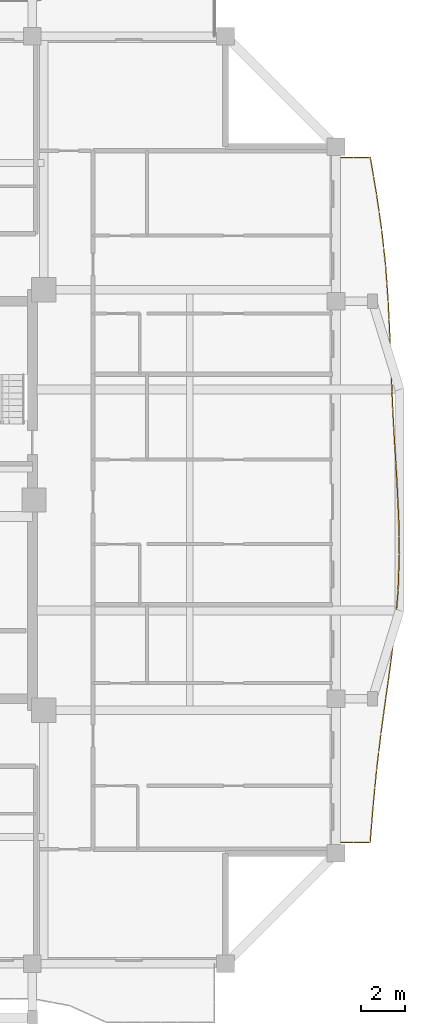
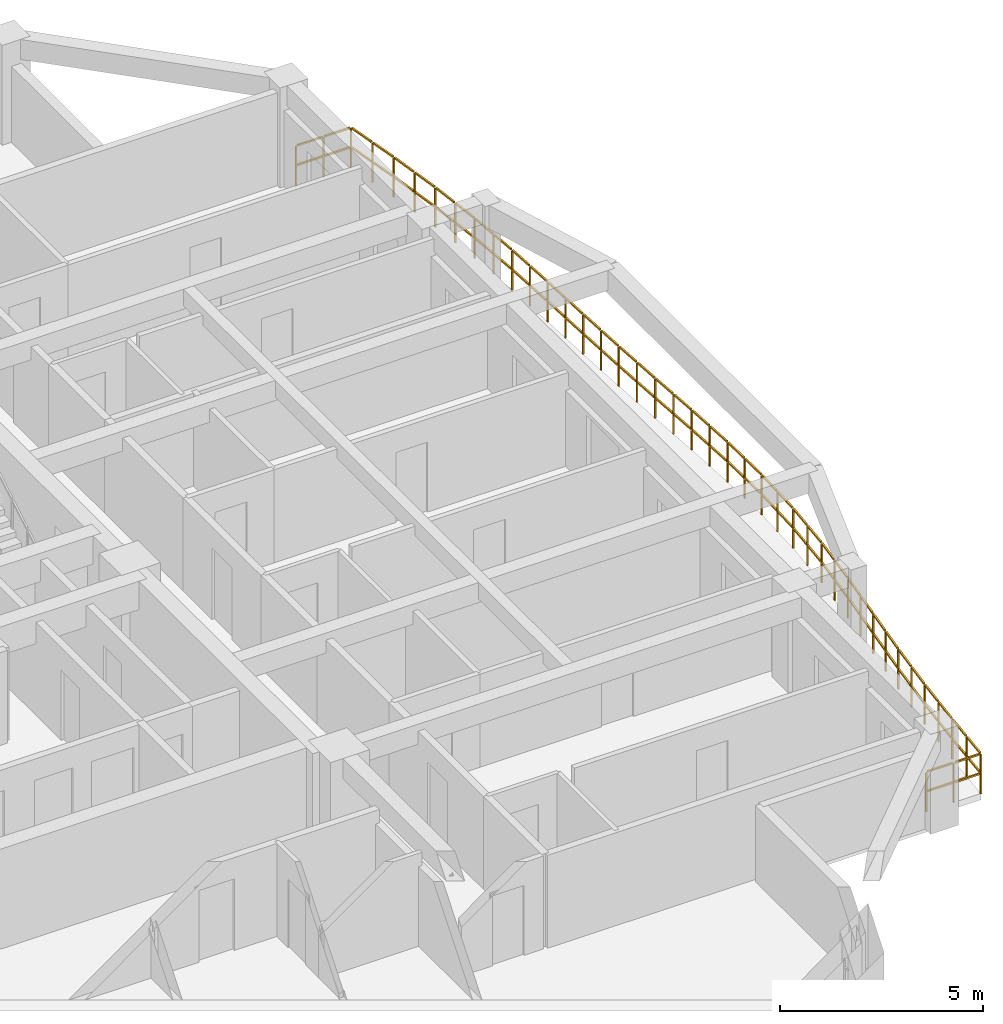
# One storey, part 12 of 13: 1 railing.
"""IFC4 building model written with IfcOpenShell, lengths in metres."""

import ifcopenshell
import ifcopenshell.guid

model = None  # the IFC model being written
_history = None  # IfcOwnerHistory: only IFC2X3 demands one
_inside = {}  # id of a spatial element -> (the spatial element, [elements in it])
_under = {}  # id of a project, library or spatial element -> (it, [spatial elements below it])
_declared = {}  # id of a project -> (the project, [libraries it declares])
_typed = {}  # id of a type object -> (the type object, [elements of that type])
_made_of = {}  # id of a material, layer set ... -> (it, [elements and type objects made of it])


def new_model(schema):
    """Start an empty IFC model of exactly this schema.

    Asked for "IFC4X3", IfcOpenShell would pick the latest addendum, in which some entities
    have other attributes; the version numbers below select the first issue.
    IFC2X3 requires an IfcOwnerHistory on every rooted entity: one is made here for all.
    """
    global model, _history
    if schema == "IFC4X3":
        model = ifcopenshell.file(schema_version=(4, 3, 0, 0))
    else:
        model = ifcopenshell.file(schema=schema)
    _inside.clear()
    _under.clear()
    _declared.clear()
    _typed.clear()
    _made_of.clear()
    _history = None
    if model.schema == "IFC2X3":
        org = make("IfcOrganization", Name="unknown")
        user = make(
            "IfcPersonAndOrganization",
            ThePerson=make("IfcPerson", FamilyName="unknown"),
            TheOrganization=org,
        )
        app = make(
            "IfcApplication",
            ApplicationDeveloper=org,
            Version="unknown",
            ApplicationFullName="unknown",
            ApplicationIdentifier="unknown",
        )
        _history = make(
            "IfcOwnerHistory",
            OwningUser=user,
            OwningApplication=app,
            ChangeAction="ADDED",
            CreationDate=0,
        )
    return model


def make(cls, **values):
    """One entity of the class cls with the attributes given. An attribute that is None is left unset."""
    return model.create_entity(
        cls, **{name: value for name, value in values.items() if value is not None}
    )


def rooted(cls, **values):
    """An entity with a GlobalId (a new one), such as an element, a storey or a relation."""
    return make(cls, GlobalId=ifcopenshell.guid.new(), OwnerHistory=_history, **values)


def si_unit(unit_type, name, prefix=None):
    """IfcSIUnit, for example si_unit("LENGTHUNIT", "METRE", prefix="MILLI")."""
    return make("IfcSIUnit", UnitType=unit_type, Prefix=prefix, Name=name)


def assignment(units):
    """IfcUnitAssignment: the units of a project."""
    return None if units is None else make("IfcUnitAssignment", Units=units)


def point(xyz):
    """IfcCartesianPoint."""
    return None if xyz is None else make("IfcCartesianPoint", Coordinates=xyz)


def direction(xyz):
    """IfcDirection."""
    return None if xyz is None else make("IfcDirection", DirectionRatios=xyz)


def frame(location, z_axis=None, x_axis=None):
    """IfcAxis2Placement3D, a coordinate frame: its origin and axes. An axis left out is left unset."""
    return make(
        "IfcAxis2Placement3D",
        Location=point(location),
        Axis=direction(z_axis),
        RefDirection=direction(x_axis),
    )


def frame_2d(location, x_axis=None):
    """IfcAxis2Placement2D, a coordinate frame in the plane: its origin and x axis."""
    return make(
        "IfcAxis2Placement2D", Location=point(location), RefDirection=direction(x_axis)
    )


def origin():
    """The frame at (0, 0, 0) with its axes left unset."""
    return frame((0.0, 0.0, 0.0))


def origin_2d():
    """The frame at (0, 0) in the plane with its x axis left unset."""
    return frame_2d((0.0, 0.0))


def place(relative_to, where):
    """IfcLocalPlacement: puts the frame where relative to a parent placement (None: the world)."""
    return make(
        "IfcLocalPlacement", PlacementRelTo=relative_to, RelativePlacement=where
    )


def context(
    kind, dimensions, precision=None, world=None, true_north=None, identifier=None
):
    """IfcGeometricRepresentationContext, for example the 3D "Model" context."""
    return make(
        "IfcGeometricRepresentationContext",
        ContextIdentifier=identifier,
        ContextType=kind,
        CoordinateSpaceDimension=dimensions,
        Precision=precision,
        WorldCoordinateSystem=world,
        TrueNorth=true_north,
    )


def subcontext(parent, identifier, kind, view, scale=None):
    """IfcGeometricRepresentationSubContext, for example "Body" below "Model"."""
    return make(
        "IfcGeometricRepresentationSubContext",
        ContextIdentifier=identifier,
        ContextType=kind,
        ParentContext=parent,
        TargetScale=scale,
        TargetView=view,
    )


def project(units=None, contexts=None):
    """IfcProject with its units and contexts."""
    return rooted(
        "IfcProject",
        Name="project",
        RepresentationContexts=contexts,
        UnitsInContext=assignment(units),
    )


def spatial(cls, under=None, at=None, **own):
    """A site, building, storey or space (cls), placed at a placement, below another one or the project."""
    s = rooted(cls, ObjectPlacement=at, **own)
    if under is not None:
        _under.setdefault(under.id(), (under, []))[1].append(s)
    return s


def profile(cls, at=None, kind="AREA", **sizes):
    """A parametric profile (cls). Its sizes go by their IFC names, for example OverallWidth=200.0."""
    return make(cls, ProfileType=kind, Position=at, **sizes)


def rectangle(**sizes):
    """IfcRectangleProfileDef."""
    return profile("IfcRectangleProfileDef", **sizes)


def extrude(swept, where, along, depth):
    """IfcExtrudedAreaSolid: the profile swept, set in the frame where, extruded along a direction by depth."""
    return make(
        "IfcExtrudedAreaSolid",
        SweptArea=swept,
        Position=where,
        ExtrudedDirection=direction(along),
        Depth=depth,
    )


def shape(context_of_items, identifier, shape_type, items):
    """IfcShapeRepresentation: the items that make up one representation, for example the "Body"."""
    return make(
        "IfcShapeRepresentation",
        ContextOfItems=context_of_items,
        RepresentationIdentifier=identifier,
        RepresentationType=shape_type,
        Items=items,
    )


def material(Name=None, Category=None):
    """IfcMaterial."""
    return make("IfcMaterial", Name=Name, Category=Category)


def made_of(thing, what):
    """Note that an element or type object is made of a material, layer set ...; save() writes the relation."""
    if what is not None:
        _made_of.setdefault(what.id(), (what, []))[1].append(thing)
    return thing


def type_object(cls, material=None, **own):
    """A type object (cls), such as IfcWallType, which elements share."""
    return made_of(rooted(cls, **own), material)


def element(
    cls,
    number,
    at=None,
    inside=None,
    cuts=None,
    type_object=None,
    material=None,
    context=None,
    identifier="Body",
    shape_type=None,
    held_by="IfcProductDefinitionShape",
    body=None,
    shapes=None,
    **own,
):
    """One element of the class cls, such as IfcWall. Its Tag is "e" and its number.

    at: its placement. inside: the storey or other place that contains it. cuts: it is an
    opening in that element (IfcRelVoidsElement). A single representation is given by context,
    identifier, shape_type and body (its items); several are given by shapes. held_by: the class
    of the entity that holds the representations. save() writes the other relations.
    """
    e = rooted(cls, Tag="e%d" % number, ObjectPlacement=at, **own)
    if body is not None:
        shapes = [shape(context, identifier, shape_type, body)]
    if shapes is not None:
        e.Representation = make(held_by, Representations=shapes)
    if inside is not None:
        _inside.setdefault(inside.id(), (inside, []))[1].append(e)
    if cuts is not None:
        rooted(
            "IfcRelVoidsElement", RelatingBuildingElement=cuts, RelatedOpeningElement=e
        )
    if type_object is not None:
        _typed.setdefault(type_object.id(), (type_object, []))[1].append(e)
    return made_of(e, material)


def aggregate(whole, parts):
    """IfcRelAggregates: a whole, such as a stair, and the parts it consists of."""
    return rooted("IfcRelAggregates", RelatingObject=whole, RelatedObjects=parts)


def save(model, path):
    """Write the relations noted so far, then the file.

    IfcRelAggregates (storeys below a building ...), IfcRelContainedInSpatialStructure (elements
    in a storey), IfcRelDefinesByType, IfcRelAssociatesMaterial and IfcRelDeclares: one each for
    every whole, place, type object, material and project.
    """
    for whole, parts in _under.values():
        aggregate(whole, parts)
    for where, things in _inside.values():
        rooted(
            "IfcRelContainedInSpatialStructure",
            RelatedElements=things,
            RelatingStructure=where,
        )
    for kind, things in _typed.values():
        rooted("IfcRelDefinesByType", RelatedObjects=things, RelatingType=kind)
    for what, things in _made_of.values():
        rooted("IfcRelAssociatesMaterial", RelatedObjects=things, RelatingMaterial=what)
    for by, libraries in _declared.values():
        rooted("IfcRelDeclares", RelatingContext=by, RelatedDefinitions=libraries)
    model.write(path)


model = new_model("IFC4")

# Units and contexts
model_context = context("Model", 3, precision=1e-05, world=origin(), true_north=direction((0.0, 1.0)))
body_context = subcontext(model_context, "Body", "Model", "MODEL_VIEW")
ifc_project = project(units=[si_unit("LENGTHUNIT", "METRE"), si_unit("AREAUNIT", "SQUARE_METRE"), si_unit("VOLUMEUNIT", "CUBIC_METRE"), si_unit("PLANEANGLEUNIT", "RADIAN"), si_unit("MASSUNIT", "GRAM", prefix="KILO")], contexts=[model_context])

# Site, building, storey
site_placement = place(None, origin())
site = spatial("IfcSite", under=ifc_project, at=site_placement, CompositionType="ELEMENT")
building_placement = place(site_placement, origin())
building = spatial("IfcBuilding", under=site, at=building_placement, Name="Saelheon Loggia Tower", CompositionType="ELEMENT")
storey_placement = place(building_placement, frame((0.0, 0.0, 179.800048828125)))
storey = spatial("IfcBuildingStorey", under=building, at=storey_placement, Name="L56", CompositionType="ELEMENT", Elevation=179.800048828125)

# Railing
ifc_material = material(Name="Architectural Precast Concrete and Laminated Glass Guard", Category="concrete")
railing_type = type_object("IfcRailingType", Name="Guard_Loggia_RL_LOG", PredefinedType="BALUSTRADE", material=ifc_material)
railing_placement = place(storey_placement, frame((58.25, 11.5, 0.0)))
element("IfcRailing", 1, at=railing_placement, inside=storey, type_object=railing_type, Name="L56 East Loggia Balustrade", PredefinedType="BALUSTRADE", context=body_context, shape_type="SweptSolid", body=[
    extrude(rectangle(XDim=0.048095703125, YDim=0.048095703125, at=origin_2d()), frame((0.033203125, 0.0, 1.19580078125), z_axis=(1.0, 0.0, 0.0), x_axis=(0.0, 1.0, 0.0)), (0.0, 0.0, 1.0), 0.70849609375),
    extrude(rectangle(XDim=0.048095703125, YDim=0.048095703125, at=origin_2d()), frame((0.033203125, 0.0, 0.60986328125), z_axis=(1.0, 0.0, 0.0), x_axis=(0.0, 1.0, 0.0)), (0.0, 0.0, 1.0), 0.70849609375),
    extrude(rectangle(XDim=0.048095703125, YDim=0.048095703125, at=origin_2d()), frame((0.808349609375, 0.0, 1.19580078125), z_axis=(1.0, 0.0, 0.0), x_axis=(0.0, 1.0, 0.0)), (0.0, 0.0, 1.0), 0.70849609375),
    extrude(rectangle(XDim=0.048095703125, YDim=0.048095703125, at=origin_2d()), frame((0.808349609375, 0.0, 0.60986328125), z_axis=(1.0, 0.0, 0.0), x_axis=(0.0, 1.0, 0.0)), (0.0, 0.0, 1.0), 0.70849609375),
    extrude(rectangle(XDim=0.048095703125, YDim=0.048095703125, at=origin_2d()), frame((1.552734375, 0.033203125, 1.19580078125), z_axis=(0.080835891672, 0.996727424433, 0.0), x_axis=(-0.996727424433, 0.080835891672, 0.0)), (0.0, 0.0, 1.0), 0.751953125),
    extrude(rectangle(XDim=0.048095703125, YDim=0.048095703125, at=origin_2d()), frame((1.552734375, 0.033203125, 0.60986328125), z_axis=(0.080835891672, 0.996727424433, 0.0), x_axis=(-0.996727424433, 0.080835891672, 0.0)), (0.0, 0.0, 1.0), 0.751953125),
    extrude(rectangle(XDim=0.048095703125, YDim=0.048095703125, at=origin_2d()), frame((1.618896484375, 0.848876953125, 1.19580078125), z_axis=(0.080835891672, 0.996727424433, 0.0), x_axis=(-0.996727424433, 0.080835891672, 0.0)), (0.0, 0.0, 1.0), 0.751953125),
    extrude(rectangle(XDim=0.048095703125, YDim=0.048095703125, at=origin_2d()), frame((1.618896484375, 0.848876953125, 0.60986328125), z_axis=(0.080835891672, 0.996727424433, 0.0), x_axis=(-0.996727424433, 0.080835891672, 0.0)), (0.0, 0.0, 1.0), 0.751953125),
    extrude(rectangle(XDim=0.048095703125, YDim=0.048095703125, at=origin_2d()), frame((1.685546875, 1.66455078125, 1.19580078125), z_axis=(0.096067152707, 0.995374855103, 0.0), x_axis=(-0.995374855103, 0.096067152707, 0.0)), (0.0, 0.0, 1.0), 0.753173828125),
    extrude(rectangle(XDim=0.048095703125, YDim=0.048095703125, at=origin_2d()), frame((1.685546875, 1.66455078125, 0.60986328125), z_axis=(0.096067152707, 0.995374855103, 0.0), x_axis=(-0.995374855103, 0.096067152707, 0.0)), (0.0, 0.0, 1.0), 0.753173828125),
    extrude(rectangle(XDim=0.048095703125, YDim=0.048095703125, at=origin_2d()), frame((1.764404296875, 2.48046875, 1.19580078125), z_axis=(0.096067152707, 0.995374855103, 0.0), x_axis=(-0.995374855103, 0.096067152707, 0.0)), (0.0, 0.0, 1.0), 0.753173828125),
    extrude(rectangle(XDim=0.048095703125, YDim=0.048095703125, at=origin_2d()), frame((1.764404296875, 2.48046875, 0.60986328125), z_axis=(0.096067152707, 0.995374855103, 0.0), x_axis=(-0.995374855103, 0.096067152707, 0.0)), (0.0, 0.0, 1.0), 0.753173828125),
    extrude(rectangle(XDim=0.048095703125, YDim=0.048095703125, at=origin_2d()), frame((1.84375, 3.296142578125, 1.19580078125), z_axis=(0.118418690812, 0.992963752443, 0.0), x_axis=(-0.992963752443, 0.118418690812, 0.0)), (0.0, 0.0, 1.0), 0.755126953125),
    extrude(rectangle(XDim=0.048095703125, YDim=0.048095703125, at=origin_2d()), frame((1.84375, 3.296142578125, 0.60986328125), z_axis=(0.118418690812, 0.992963752443, 0.0), x_axis=(-0.992963752443, 0.118418690812, 0.0)), (0.0, 0.0, 1.0), 0.755126953125),
    extrude(rectangle(XDim=0.048095703125, YDim=0.048095703125, at=origin_2d()), frame((1.941162109375, 4.112060546875, 1.19580078125), z_axis=(0.118418690812, 0.992963752443, 0.0), x_axis=(-0.992963752443, 0.118418690812, 0.0)), (0.0, 0.0, 1.0), 0.755126953125),
    extrude(rectangle(XDim=0.048095703125, YDim=0.048095703125, at=origin_2d()), frame((1.941162109375, 4.112060546875, 0.60986328125), z_axis=(0.118418690812, 0.992963752443, 0.0), x_axis=(-0.992963752443, 0.118418690812, 0.0)), (0.0, 0.0, 1.0), 0.755126953125),
    extrude(rectangle(XDim=0.048095703125, YDim=0.048095703125, at=origin_2d()), frame((2.0390625, 4.927734375, 1.19580078125), z_axis=(0.136231070646, 0.990677089364, 0.0), x_axis=(-0.990677089364, 0.136231070646, 0.0)), (0.0, 0.0, 1.0), 0.757080078125),
    extrude(rectangle(XDim=0.048095703125, YDim=0.048095703125, at=origin_2d()), frame((2.0390625, 4.927734375, 0.60986328125), z_axis=(0.136231070646, 0.990677089364, 0.0), x_axis=(-0.990677089364, 0.136231070646, 0.0)), (0.0, 0.0, 1.0), 0.757080078125),
    extrude(rectangle(XDim=0.048095703125, YDim=0.048095703125, at=origin_2d()), frame((2.151123046875, 5.743408203125, 1.19580078125), z_axis=(0.136231070646, 0.990677089364, 0.0), x_axis=(-0.990677089364, 0.136231070646, 0.0)), (0.0, 0.0, 1.0), 0.757080078125),
    extrude(rectangle(XDim=0.048095703125, YDim=0.048095703125, at=origin_2d()), frame((2.151123046875, 5.743408203125, 0.60986328125), z_axis=(0.136231070646, 0.990677089364, 0.0), x_axis=(-0.990677089364, 0.136231070646, 0.0)), (0.0, 0.0, 1.0), 0.757080078125),
    extrude(rectangle(XDim=0.048095703125, YDim=0.048095703125, at=origin_2d()), frame((2.263427734375, 6.559326171875, 1.19580078125), z_axis=(0.138412382721, 0.990374682789, 0.0), x_axis=(-0.990374682789, 0.138412382721, 0.0)), (0.0, 0.0, 1.0), 0.75732421875),
    extrude(rectangle(XDim=0.048095703125, YDim=0.048095703125, at=origin_2d()), frame((2.263427734375, 6.559326171875, 0.60986328125), z_axis=(0.138412382721, 0.990374682789, 0.0), x_axis=(-0.990374682789, 0.138412382721, 0.0)), (0.0, 0.0, 1.0), 0.75732421875),
    extrude(rectangle(XDim=0.048095703125, YDim=0.048095703125, at=origin_2d()), frame((2.37744140625, 7.375, 1.19580078125), z_axis=(0.138412382721, 0.990374682789, 0.0), x_axis=(-0.990374682789, 0.138412382721, 0.0)), (0.0, 0.0, 1.0), 0.75732421875),
    extrude(rectangle(XDim=0.048095703125, YDim=0.048095703125, at=origin_2d()), frame((2.37744140625, 7.375, 0.60986328125), z_axis=(0.138412382721, 0.990374682789, 0.0), x_axis=(-0.990374682789, 0.138412382721, 0.0)), (0.0, 0.0, 1.0), 0.75732421875),
    extrude(rectangle(XDim=0.048095703125, YDim=0.048095703125, at=origin_2d()), frame((2.49072265625, 8.19091796875, 1.19580078125), z_axis=(0.119151078954, 0.992876135469, 0.0), x_axis=(-0.992876135469, 0.119151078954, 0.0)), (0.0, 0.0, 1.0), 0.755126953125),
    extrude(rectangle(XDim=0.048095703125, YDim=0.048095703125, at=origin_2d()), frame((2.49072265625, 8.19091796875, 0.60986328125), z_axis=(0.119151078954, 0.992876135469, 0.0), x_axis=(-0.992876135469, 0.119151078954, 0.0)), (0.0, 0.0, 1.0), 0.755126953125),
    extrude(rectangle(XDim=0.048095703125, YDim=0.048095703125, at=origin_2d()), frame((2.588623046875, 9.0068359375, 1.19580078125), z_axis=(0.119151078954, 0.992876135469, 0.0), x_axis=(-0.992876135469, 0.119151078954, 0.0)), (0.0, 0.0, 1.0), 0.755126953125),
    extrude(rectangle(XDim=0.048095703125, YDim=0.048095703125, at=origin_2d()), frame((2.588623046875, 9.0068359375, 0.60986328125), z_axis=(0.119151078954, 0.992876135469, 0.0), x_axis=(-0.992876135469, 0.119151078954, 0.0)), (0.0, 0.0, 1.0), 0.755126953125),
    extrude(rectangle(XDim=0.048095703125, YDim=0.048095703125, at=origin_2d()), frame((2.685302734375, 9.82275390625, 1.19580078125), z_axis=(0.080243172339, 0.996775317357, 0.0), x_axis=(-0.996775317357, 0.080243172339, 0.0)), (0.0, 0.0, 1.0), 0.751953125),
    extrude(rectangle(XDim=0.048095703125, YDim=0.048095703125, at=origin_2d()), frame((2.685302734375, 9.82275390625, 0.60986328125), z_axis=(0.080243172339, 0.996775317357, 0.0), x_axis=(-0.996775317357, 0.080243172339, 0.0)), (0.0, 0.0, 1.0), 0.751953125),
    extrude(rectangle(XDim=0.048095703125, YDim=0.048095703125, at=origin_2d()), frame((2.7509765625, 10.638427734375, 1.19580078125), z_axis=(0.080243172339, 0.996775317357, 0.0), x_axis=(-0.996775317357, 0.080243172339, 0.0)), (0.0, 0.0, 1.0), 0.751953125),
    extrude(rectangle(XDim=0.048095703125, YDim=0.048095703125, at=origin_2d()), frame((2.7509765625, 10.638427734375, 0.60986328125), z_axis=(0.080243172339, 0.996775317357, 0.0), x_axis=(-0.996775317357, 0.080243172339, 0.0)), (0.0, 0.0, 1.0), 0.751953125),
    extrude(rectangle(XDim=0.048095703125, YDim=0.048095703125, at=origin_2d()), frame((2.81494140625, 11.454345703125, 1.19580078125), z_axis=(0.030963894681, 0.999520503655, 0.0), x_axis=(-0.999520503655, 0.030963894681, 0.0)), (0.0, 0.0, 1.0), 0.74951171875),
    extrude(rectangle(XDim=0.048095703125, YDim=0.048095703125, at=origin_2d()), frame((2.81494140625, 11.454345703125, 0.60986328125), z_axis=(0.030963894681, 0.999520503655, 0.0), x_axis=(-0.999520503655, 0.030963894681, 0.0)), (0.0, 0.0, 1.0), 0.74951171875),
    extrude(rectangle(XDim=0.048095703125, YDim=0.048095703125, at=origin_2d()), frame((2.84033203125, 12.27001953125, 1.19580078125), z_axis=(0.030963894681, 0.999520503655, 0.0), x_axis=(-0.999520503655, 0.030963894681, 0.0)), (0.0, 0.0, 1.0), 0.74951171875),
    extrude(rectangle(XDim=0.048095703125, YDim=0.048095703125, at=origin_2d()), frame((2.84033203125, 12.27001953125, 0.60986328125), z_axis=(0.030963894681, 0.999520503655, 0.0), x_axis=(-0.999520503655, 0.030963894681, 0.0)), (0.0, 0.0, 1.0), 0.74951171875),
    extrude(rectangle(XDim=0.048095703125, YDim=0.048095703125, at=origin_2d()), frame((2.864013671875, 13.085693359375, 1.19580078125), z_axis=(-0.015559989428, 0.999878936036, 0.0), x_axis=(-0.999878936036, -0.015559989428, 0.0)), (0.0, 0.0, 1.0), 0.74951171875),
    extrude(rectangle(XDim=0.048095703125, YDim=0.048095703125, at=origin_2d()), frame((2.864013671875, 13.085693359375, 0.60986328125), z_axis=(-0.015559989428, 0.999878936036, 0.0), x_axis=(-0.999878936036, -0.015559989428, 0.0)), (0.0, 0.0, 1.0), 0.74951171875),
    extrude(rectangle(XDim=0.048095703125, YDim=0.048095703125, at=origin_2d()), frame((2.851318359375, 13.901611328125, 1.19580078125), z_axis=(-0.015559989428, 0.999878936036, 0.0), x_axis=(-0.999878936036, -0.015559989428, 0.0)), (0.0, 0.0, 1.0), 0.74951171875),
    extrude(rectangle(XDim=0.048095703125, YDim=0.048095703125, at=origin_2d()), frame((2.851318359375, 13.901611328125, 0.60986328125), z_axis=(-0.015559989428, 0.999878936036, 0.0), x_axis=(-0.999878936036, -0.015559989428, 0.0)), (0.0, 0.0, 1.0), 0.74951171875),
    extrude(rectangle(XDim=0.048095703125, YDim=0.048095703125, at=origin_2d()), frame((2.837646484375, 14.71728515625, 1.19580078125), z_axis=(-0.047373442202, 0.998877248201, 0.0), x_axis=(-0.998877248201, -0.047373442202, 0.0)), (0.0, 0.0, 1.0), 0.75048828125),
    extrude(rectangle(XDim=0.048095703125, YDim=0.048095703125, at=origin_2d()), frame((2.837646484375, 14.71728515625, 0.60986328125), z_axis=(-0.047373442202, 0.998877248201, 0.0), x_axis=(-0.998877248201, -0.047373442202, 0.0)), (0.0, 0.0, 1.0), 0.75048828125),
    extrude(rectangle(XDim=0.048095703125, YDim=0.048095703125, at=origin_2d()), frame((2.798828125, 15.533203125, 1.19580078125), z_axis=(-0.047373442202, 0.998877248201, 0.0), x_axis=(-0.998877248201, -0.047373442202, 0.0)), (0.0, 0.0, 1.0), 0.75048828125),
    extrude(rectangle(XDim=0.048095703125, YDim=0.048095703125, at=origin_2d()), frame((2.798828125, 15.533203125, 0.60986328125), z_axis=(-0.047373442202, 0.998877248201, 0.0), x_axis=(-0.998877248201, -0.047373442202, 0.0)), (0.0, 0.0, 1.0), 0.75048828125),
    extrude(rectangle(XDim=0.048095703125, YDim=0.048095703125, at=origin_2d()), frame((2.759765625, 16.34912109375, 1.19580078125), z_axis=(-0.05944876262, 0.998231358265, 0.0), x_axis=(-0.998231358265, -0.05944876262, 0.0)), (0.0, 0.0, 1.0), 0.750732421875),
    extrude(rectangle(XDim=0.048095703125, YDim=0.048095703125, at=origin_2d()), frame((2.759765625, 16.34912109375, 0.60986328125), z_axis=(-0.05944876262, 0.998231358265, 0.0), x_axis=(-0.998231358265, -0.05944876262, 0.0)), (0.0, 0.0, 1.0), 0.750732421875),
    extrude(rectangle(XDim=0.048095703125, YDim=0.048095703125, at=origin_2d()), frame((2.711181640625, 17.164794921875, 1.19580078125), z_axis=(-0.05944876262, 0.998231358265, 0.0), x_axis=(-0.998231358265, -0.05944876262, 0.0)), (0.0, 0.0, 1.0), 0.750732421875),
    extrude(rectangle(XDim=0.048095703125, YDim=0.048095703125, at=origin_2d()), frame((2.711181640625, 17.164794921875, 0.60986328125), z_axis=(-0.05944876262, 0.998231358265, 0.0), x_axis=(-0.998231358265, -0.05944876262, 0.0)), (0.0, 0.0, 1.0), 0.750732421875),
    extrude(rectangle(XDim=0.048095703125, YDim=0.048095703125, at=origin_2d()), frame((2.662841796875, 17.980712890625, 1.19580078125), z_axis=(-0.054990000167, 0.998486905213, 0.0), x_axis=(-0.998486905213, -0.054990000167, 0.0)), (0.0, 0.0, 1.0), 0.75048828125),
    extrude(rectangle(XDim=0.048095703125, YDim=0.048095703125, at=origin_2d()), frame((2.662841796875, 17.980712890625, 0.60986328125), z_axis=(-0.054990000167, 0.998486905213, 0.0), x_axis=(-0.998486905213, -0.054990000167, 0.0)), (0.0, 0.0, 1.0), 0.75048828125),
    extrude(rectangle(XDim=0.048095703125, YDim=0.048095703125, at=origin_2d()), frame((2.617919921875, 18.79638671875, 1.19580078125), z_axis=(-0.054990000167, 0.998486905213, 0.0), x_axis=(-0.998486905213, -0.054990000167, 0.0)), (0.0, 0.0, 1.0), 0.75048828125),
    extrude(rectangle(XDim=0.048095703125, YDim=0.048095703125, at=origin_2d()), frame((2.617919921875, 18.79638671875, 0.60986328125), z_axis=(-0.054990000167, 0.998486905213, 0.0), x_axis=(-0.998486905213, -0.054990000167, 0.0)), (0.0, 0.0, 1.0), 0.75048828125),
    extrude(rectangle(XDim=0.048095703125, YDim=0.048095703125, at=origin_2d()), frame((2.5732421875, 19.612060546875, 1.19580078125), z_axis=(-0.043352887665, 0.999059821598, 0.0), x_axis=(-0.999059821598, -0.043352887665, 0.0)), (0.0, 0.0, 1.0), 0.75),
    extrude(rectangle(XDim=0.048095703125, YDim=0.048095703125, at=origin_2d()), frame((2.5732421875, 19.612060546875, 0.60986328125), z_axis=(-0.043352887665, 0.999059821598, 0.0), x_axis=(-0.999059821598, -0.043352887665, 0.0)), (0.0, 0.0, 1.0), 0.75),
    extrude(rectangle(XDim=0.048095703125, YDim=0.048095703125, at=origin_2d()), frame((2.537841796875, 20.427978515625, 1.19580078125), z_axis=(-0.043352887665, 0.999059821598, 0.0), x_axis=(-0.999059821598, -0.043352887665, 0.0)), (0.0, 0.0, 1.0), 0.75),
    extrude(rectangle(XDim=0.048095703125, YDim=0.048095703125, at=origin_2d()), frame((2.537841796875, 20.427978515625, 0.60986328125), z_axis=(-0.043352887665, 0.999059821598, 0.0), x_axis=(-0.999059821598, -0.043352887665, 0.0)), (0.0, 0.0, 1.0), 0.75),
    extrude(rectangle(XDim=0.048095703125, YDim=0.048095703125, at=origin_2d()), frame((2.502685546875, 21.24365234375, 1.19580078125), z_axis=(-0.037382202648, 0.999301041191, 0.0), x_axis=(-0.999301041191, -0.037382202648, 0.0)), (0.0, 0.0, 1.0), 0.75),
    extrude(rectangle(XDim=0.048095703125, YDim=0.048095703125, at=origin_2d()), frame((2.502685546875, 21.24365234375, 0.60986328125), z_axis=(-0.037382202648, 0.999301041191, 0.0), x_axis=(-0.999301041191, -0.037382202648, 0.0)), (0.0, 0.0, 1.0), 0.75),
    extrude(rectangle(XDim=0.048095703125, YDim=0.048095703125, at=origin_2d()), frame((2.47216796875, 22.0595703125, 1.19580078125), z_axis=(-0.037382202648, 0.999301041191, 0.0), x_axis=(-0.999301041191, -0.037382202648, 0.0)), (0.0, 0.0, 1.0), 0.75),
    extrude(rectangle(XDim=0.048095703125, YDim=0.048095703125, at=origin_2d()), frame((2.47216796875, 22.0595703125, 0.60986328125), z_axis=(-0.037382202648, 0.999301041191, 0.0), x_axis=(-0.999301041191, -0.037382202648, 0.0)), (0.0, 0.0, 1.0), 0.75),
    extrude(rectangle(XDim=0.048095703125, YDim=0.048095703125, at=origin_2d()), frame((2.44140625, 22.875244140625, 1.19580078125), z_axis=(-0.045739897539, 0.998953383183, 0.0), x_axis=(-0.998953383183, -0.045739897539, 0.0)), (0.0, 0.0, 1.0), 0.750244140625),
    extrude(rectangle(XDim=0.048095703125, YDim=0.048095703125, at=origin_2d()), frame((2.44140625, 22.875244140625, 0.60986328125), z_axis=(-0.045739897539, 0.998953383183, 0.0), x_axis=(-0.998953383183, -0.045739897539, 0.0)), (0.0, 0.0, 1.0), 0.750244140625),
    extrude(rectangle(XDim=0.048095703125, YDim=0.048095703125, at=origin_2d()), frame((2.404052734375, 23.69091796875, 1.19580078125), z_axis=(-0.045739897539, 0.998953383183, 0.0), x_axis=(-0.998953383183, -0.045739897539, 0.0)), (0.0, 0.0, 1.0), 0.750244140625),
    extrude(rectangle(XDim=0.048095703125, YDim=0.048095703125, at=origin_2d()), frame((2.404052734375, 23.69091796875, 0.60986328125), z_axis=(-0.045739897539, 0.998953383183, 0.0), x_axis=(-0.998953383183, -0.045739897539, 0.0)), (0.0, 0.0, 1.0), 0.750244140625),
    extrude(rectangle(XDim=0.048095703125, YDim=0.048095703125, at=origin_2d()), frame((2.36572265625, 24.5068359375, 1.19580078125), z_axis=(-0.071491000488, 0.997441244811, 0.0), x_axis=(-0.997441244811, -0.071491000488, 0.0)), (0.0, 0.0, 1.0), 0.75146484375),
    extrude(rectangle(XDim=0.048095703125, YDim=0.048095703125, at=origin_2d()), frame((2.36572265625, 24.5068359375, 0.60986328125), z_axis=(-0.071491000488, 0.997441244811, 0.0), x_axis=(-0.997441244811, -0.071491000488, 0.0)), (0.0, 0.0, 1.0), 0.75146484375),
    extrude(rectangle(XDim=0.048095703125, YDim=0.048095703125, at=origin_2d()), frame((2.307373046875, 25.322509765625, 1.19580078125), z_axis=(-0.071491000488, 0.997441244811, 0.0), x_axis=(-0.997441244811, -0.071491000488, 0.0)), (0.0, 0.0, 1.0), 0.75146484375),
    extrude(rectangle(XDim=0.048095703125, YDim=0.048095703125, at=origin_2d()), frame((2.307373046875, 25.322509765625, 0.60986328125), z_axis=(-0.071491000488, 0.997441244811, 0.0), x_axis=(-0.997441244811, -0.071491000488, 0.0)), (0.0, 0.0, 1.0), 0.75146484375),
    extrude(rectangle(XDim=0.048095703125, YDim=0.048095703125, at=origin_2d()), frame((2.24755859375, 26.13818359375, 1.19580078125), z_axis=(-0.107998454426, 0.994151061882, 0.0), x_axis=(-0.994151061882, -0.107998454426, 0.0)), (0.0, 0.0, 1.0), 0.754150390625),
    extrude(rectangle(XDim=0.048095703125, YDim=0.048095703125, at=origin_2d()), frame((2.24755859375, 26.13818359375, 0.60986328125), z_axis=(-0.107998454426, 0.994151061882, 0.0), x_axis=(-0.994151061882, -0.107998454426, 0.0)), (0.0, 0.0, 1.0), 0.754150390625),
    extrude(rectangle(XDim=0.048095703125, YDim=0.048095703125, at=origin_2d()), frame((2.158935546875, 26.9541015625, 1.19580078125), z_axis=(-0.107998454426, 0.994151061882, 0.0), x_axis=(-0.994151061882, -0.107998454426, 0.0)), (0.0, 0.0, 1.0), 0.754150390625),
    extrude(rectangle(XDim=0.048095703125, YDim=0.048095703125, at=origin_2d()), frame((2.158935546875, 26.9541015625, 0.60986328125), z_axis=(-0.107998454426, 0.994151061882, 0.0), x_axis=(-0.994151061882, -0.107998454426, 0.0)), (0.0, 0.0, 1.0), 0.754150390625),
    extrude(rectangle(XDim=0.048095703125, YDim=0.048095703125, at=origin_2d()), frame((2.069091796875, 27.769775390625, 1.19580078125), z_axis=(-0.144074303004, 0.989566872533, 0.0), x_axis=(-0.989566872533, -0.144074303004, 0.0)), (0.0, 0.0, 1.0), 0.7578125),
    extrude(rectangle(XDim=0.048095703125, YDim=0.048095703125, at=origin_2d()), frame((2.069091796875, 27.769775390625, 0.60986328125), z_axis=(-0.144074303004, 0.989566872533, 0.0), x_axis=(-0.989566872533, -0.144074303004, 0.0)), (0.0, 0.0, 1.0), 0.7578125),
    extrude(rectangle(XDim=0.048095703125, YDim=0.048095703125, at=origin_2d()), frame((1.950439453125, 28.58544921875, 1.19580078125), z_axis=(-0.144074303004, 0.989566872533, 0.0), x_axis=(-0.989566872533, -0.144074303004, 0.0)), (0.0, 0.0, 1.0), 0.7578125),
    extrude(rectangle(XDim=0.048095703125, YDim=0.048095703125, at=origin_2d()), frame((1.950439453125, 28.58544921875, 0.60986328125), z_axis=(-0.144074303004, 0.989566872533, 0.0), x_axis=(-0.989566872533, -0.144074303004, 0.0)), (0.0, 0.0, 1.0), 0.7578125),
    extrude(rectangle(XDim=0.048095703125, YDim=0.048095703125, at=origin_2d()), frame((1.830810546875, 29.401123046875, 1.19580078125), z_axis=(-0.167149551065, 0.985931553192, 0.0), x_axis=(-0.985931553192, -0.167149551065, 0.0)), (0.0, 0.0, 1.0), 0.760986328125),
    extrude(rectangle(XDim=0.048095703125, YDim=0.048095703125, at=origin_2d()), frame((1.830810546875, 29.401123046875, 0.60986328125), z_axis=(-0.167149551065, 0.985931553192, 0.0), x_axis=(-0.985931553192, -0.167149551065, 0.0)), (0.0, 0.0, 1.0), 0.760986328125),
    extrude(rectangle(XDim=0.048095703125, YDim=0.048095703125, at=origin_2d()), frame((1.692626953125, 30.217041015625, 1.19580078125), z_axis=(-0.167149551065, 0.985931553192, 0.0), x_axis=(-0.985931553192, -0.167149551065, 0.0)), (0.0, 0.0, 1.0), 0.760986328125),
    extrude(rectangle(XDim=0.048095703125, YDim=0.048095703125, at=origin_2d()), frame((1.692626953125, 30.217041015625, 0.60986328125), z_axis=(-0.167149551065, 0.985931553192, 0.0), x_axis=(-0.985931553192, -0.167149551065, 0.0)), (0.0, 0.0, 1.0), 0.760986328125),
    extrude(rectangle(XDim=0.048095703125, YDim=0.048095703125, at=origin_2d()), frame((1.526611328125, 31.0, 1.19580078125), z_axis=(-1.0, 0.0, 0.0), x_axis=(0.0, -1.0, 0.0)), (0.0, 0.0, 1.0), 0.71337890625),
    extrude(rectangle(XDim=0.048095703125, YDim=0.048095703125, at=origin_2d()), frame((1.526611328125, 31.0, 0.60986328125), z_axis=(-1.0, 0.0, 0.0), x_axis=(0.0, -1.0, 0.0)), (0.0, 0.0, 1.0), 0.71337890625),
    extrude(rectangle(XDim=0.048095703125, YDim=0.048095703125, at=origin_2d()), frame((0.74658203125, 31.0, 1.19580078125), z_axis=(-1.0, 0.0, 0.0), x_axis=(0.0, -1.0, 0.0)), (0.0, 0.0, 1.0), 0.71337890625),
    extrude(rectangle(XDim=0.048095703125, YDim=0.048095703125, at=origin_2d()), frame((0.74658203125, 31.0, 0.60986328125), z_axis=(-1.0, 0.0, 0.0), x_axis=(0.0, -1.0, 0.0)), (0.0, 0.0, 1.0), 0.71337890625),
    extrude(rectangle(XDim=0.0419921875, YDim=0.0419921875, at=origin_2d()), origin(), (0.0, 0.0, 1.0), 1.16796875),
    extrude(rectangle(XDim=0.0419921875, YDim=0.0419921875, at=origin_2d()), frame((0.77490234375, 0.0, 0.0)), (0.0, 0.0, 1.0), 1.16796875),
    extrude(rectangle(XDim=0.0419921875, YDim=0.0419921875, at=origin_2d()), frame((1.550048828125, 0.0, 0.0)), (0.0, 0.0, 1.0), 1.16796875),
    extrude(rectangle(XDim=0.0419921875, YDim=0.0419921875, at=origin_2d()), frame((1.6162109375, 0.81591796875, 0.0)), (0.0, 0.0, 1.0), 1.16796875),
    extrude(rectangle(XDim=0.0419921875, YDim=0.0419921875, at=origin_2d()), frame((1.682373046875, 1.631591796875, 0.0)), (0.0, 0.0, 1.0), 1.16796875),
    extrude(rectangle(XDim=0.0419921875, YDim=0.0419921875, at=origin_2d()), frame((1.76123046875, 2.447265625, 0.0)), (0.0, 0.0, 1.0), 1.16796875),
    extrude(rectangle(XDim=0.0419921875, YDim=0.0419921875, at=origin_2d()), frame((1.83984375, 3.26318359375, 0.0)), (0.0, 0.0, 1.0), 1.16796875),
    extrude(rectangle(XDim=0.0419921875, YDim=0.0419921875, at=origin_2d()), frame((1.93701171875, 4.0791015625, 0.0)), (0.0, 0.0, 1.0), 1.16796875),
    extrude(rectangle(XDim=0.0419921875, YDim=0.0419921875, at=origin_2d()), frame((2.034423828125, 4.894775390625, 0.0)), (0.0, 0.0, 1.0), 1.16796875),
    extrude(rectangle(XDim=0.0419921875, YDim=0.0419921875, at=origin_2d()), frame((2.146484375, 5.71044921875, 0.0)), (0.0, 0.0, 1.0), 1.16796875),
    extrude(rectangle(XDim=0.0419921875, YDim=0.0419921875, at=origin_2d()), frame((2.2587890625, 6.5263671875, 0.0)), (0.0, 0.0, 1.0), 1.16796875),
    extrude(rectangle(XDim=0.0419921875, YDim=0.0419921875, at=origin_2d()), frame((2.372802734375, 7.34228515625, 0.0)), (0.0, 0.0, 1.0), 1.16796875),
    extrude(rectangle(XDim=0.0419921875, YDim=0.0419921875, at=origin_2d()), frame((2.48681640625, 8.157958984375, 0.0)), (0.0, 0.0, 1.0), 1.16796875),
    extrude(rectangle(XDim=0.0419921875, YDim=0.0419921875, at=origin_2d()), frame((2.584716796875, 8.9736328125, 0.0)), (0.0, 0.0, 1.0), 1.16796875),
    extrude(rectangle(XDim=0.0419921875, YDim=0.0419921875, at=origin_2d()), frame((2.6826171875, 9.78955078125, 0.0)), (0.0, 0.0, 1.0), 1.16796875),
    extrude(rectangle(XDim=0.0419921875, YDim=0.0419921875, at=origin_2d()), frame((2.748291015625, 10.60546875, 0.0)), (0.0, 0.0, 1.0), 1.16796875),
    extrude(rectangle(XDim=0.0419921875, YDim=0.0419921875, at=origin_2d()), frame((2.81396484375, 11.421142578125, 0.0)), (0.0, 0.0, 1.0), 1.16796875),
    extrude(rectangle(XDim=0.0419921875, YDim=0.0419921875, at=origin_2d()), frame((2.83935546875, 12.23681640625, 0.0)), (0.0, 0.0, 1.0), 1.16796875),
    extrude(rectangle(XDim=0.0419921875, YDim=0.0419921875, at=origin_2d()), frame((2.864501953125, 13.052490234375, 0.0)), (0.0, 0.0, 1.0), 1.16796875),
    extrude(rectangle(XDim=0.0419921875, YDim=0.0419921875, at=origin_2d()), frame((2.851806640625, 13.8681640625, 0.0)), (0.0, 0.0, 1.0), 1.16796875),
    extrude(rectangle(XDim=0.0419921875, YDim=0.0419921875, at=origin_2d()), frame((2.839111328125, 14.68408203125, 0.0)), (0.0, 0.0, 1.0), 1.16796875),
    extrude(rectangle(XDim=0.0419921875, YDim=0.0419921875, at=origin_2d()), frame((2.80029296875, 15.5, 0.0)), (0.0, 0.0, 1.0), 1.16796875),
    extrude(rectangle(XDim=0.0419921875, YDim=0.0419921875, at=origin_2d()), frame((2.76171875, 16.31591796875, 0.0)), (0.0, 0.0, 1.0), 1.16796875),
    extrude(rectangle(XDim=0.0419921875, YDim=0.0419921875, at=origin_2d()), frame((2.713134765625, 17.1318359375, 0.0)), (0.0, 0.0, 1.0), 1.16796875),
    extrude(rectangle(XDim=0.0419921875, YDim=0.0419921875, at=origin_2d()), frame((2.66455078125, 17.947509765625, 0.0)), (0.0, 0.0, 1.0), 1.16796875),
    extrude(rectangle(XDim=0.0419921875, YDim=0.0419921875, at=origin_2d()), frame((2.61962890625, 18.76318359375, 0.0)), (0.0, 0.0, 1.0), 1.16796875),
    extrude(rectangle(XDim=0.0419921875, YDim=0.0419921875, at=origin_2d()), frame((2.57470703125, 19.578857421875, 0.0)), (0.0, 0.0, 1.0), 1.16796875),
    extrude(rectangle(XDim=0.0419921875, YDim=0.0419921875, at=origin_2d()), frame((2.539306640625, 20.39453125, 0.0)), (0.0, 0.0, 1.0), 1.16796875),
    extrude(rectangle(XDim=0.0419921875, YDim=0.0419921875, at=origin_2d()), frame((2.50390625, 21.21044921875, 0.0)), (0.0, 0.0, 1.0), 1.16796875),
    extrude(rectangle(XDim=0.0419921875, YDim=0.0419921875, at=origin_2d()), frame((2.473388671875, 22.0263671875, 0.0)), (0.0, 0.0, 1.0), 1.16796875),
    extrude(rectangle(XDim=0.0419921875, YDim=0.0419921875, at=origin_2d()), frame((2.44287109375, 22.842041015625, 0.0)), (0.0, 0.0, 1.0), 1.16796875),
    extrude(rectangle(XDim=0.0419921875, YDim=0.0419921875, at=origin_2d()), frame((2.405517578125, 23.65771484375, 0.0)), (0.0, 0.0, 1.0), 1.16796875),
    extrude(rectangle(XDim=0.0419921875, YDim=0.0419921875, at=origin_2d()), frame((2.3681640625, 24.4736328125, 0.0)), (0.0, 0.0, 1.0), 1.16796875),
    extrude(rectangle(XDim=0.0419921875, YDim=0.0419921875, at=origin_2d()), frame((2.3095703125, 25.28955078125, 0.0)), (0.0, 0.0, 1.0), 1.16796875),
    extrude(rectangle(XDim=0.0419921875, YDim=0.0419921875, at=origin_2d()), frame((2.251220703125, 26.105224609375, 0.0)), (0.0, 0.0, 1.0), 1.16796875),
    extrude(rectangle(XDim=0.0419921875, YDim=0.0419921875, at=origin_2d()), frame((2.16259765625, 26.9208984375, 0.0)), (0.0, 0.0, 1.0), 1.16796875),
    extrude(rectangle(XDim=0.0419921875, YDim=0.0419921875, at=origin_2d()), frame((2.073974609375, 27.73681640625, 0.0)), (0.0, 0.0, 1.0), 1.16796875),
    extrude(rectangle(XDim=0.0419921875, YDim=0.0419921875, at=origin_2d()), frame((1.955078125, 28.552734375, 0.0)), (0.0, 0.0, 1.0), 1.16796875),
    extrude(rectangle(XDim=0.0419921875, YDim=0.0419921875, at=origin_2d()), frame((1.83642578125, 29.368408203125, 0.0)), (0.0, 0.0, 1.0), 1.16796875),
    extrude(rectangle(XDim=0.0419921875, YDim=0.0419921875, at=origin_2d()), frame((1.6982421875, 30.18408203125, 0.0)), (0.0, 0.0, 1.0), 1.16796875),
    extrude(rectangle(XDim=0.0419921875, YDim=0.0419921875, at=origin_2d()), frame((1.559814453125, 31.0, 0.0)), (0.0, 0.0, 1.0), 1.16796875),
    extrude(rectangle(XDim=0.0419921875, YDim=0.0419921875, at=origin_2d()), frame((0.77978515625, 31.0, 0.0)), (0.0, 0.0, 1.0), 1.16796875),
    extrude(rectangle(XDim=0.0419921875, YDim=0.0419921875, at=origin_2d()), frame((0.0, 31.0, 0.0)), (0.0, 0.0, 1.0), 1.16796875),
])

save(model, "model.ifc")
